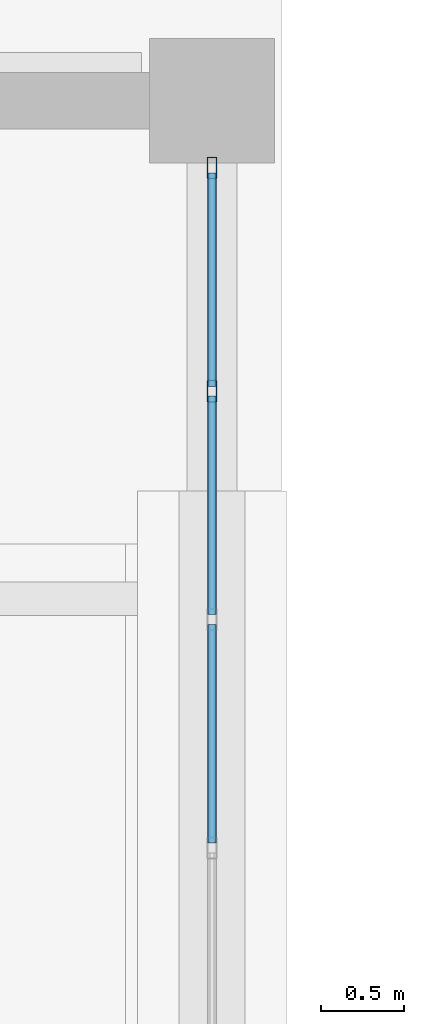
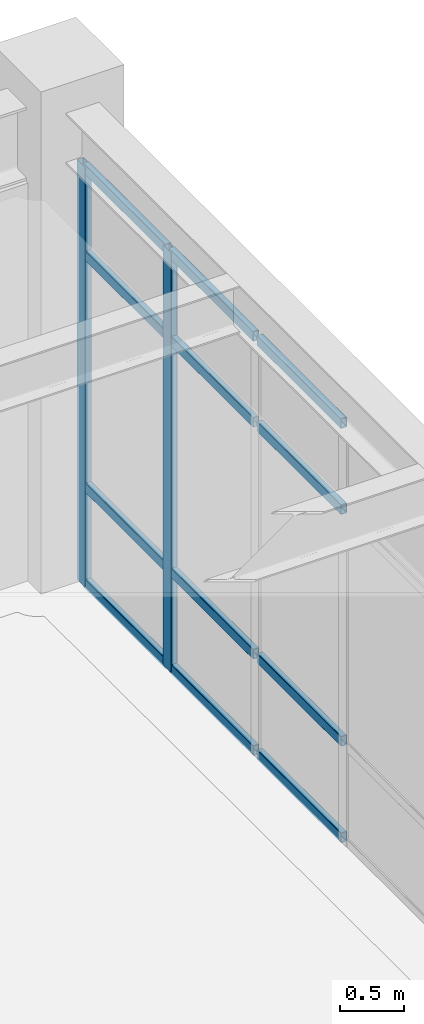
# One storey, part 52 of 98: 14 members, 1 element without a shape of its own.
"""IFC4 building model written with IfcOpenShell, lengths in metres."""

from ifc_helpers import new_model, si_unit, direction, frame, origin, origin_2d, place, context, subcontext, project, spatial, hollow_rectangle, extrude, material, material_profile, profile_set, type_object, element, aggregate, save


model = new_model("IFC4")

# Units and contexts
model_context = context("Model", 3, precision=1e-05, world=origin(), true_north=direction((0.0, 1.0)))
body_context = subcontext(model_context, "Body", "Model", "MODEL_VIEW")
ifc_project = project(units=[si_unit("LENGTHUNIT", "METRE"), si_unit("AREAUNIT", "SQUARE_METRE"), si_unit("VOLUMEUNIT", "CUBIC_METRE"), si_unit("PLANEANGLEUNIT", "RADIAN"), si_unit("MASSUNIT", "GRAM", prefix="KILO")], contexts=[model_context])

# Site, building, storey
site_placement = place(None, origin())
site = spatial("IfcSite", under=ifc_project, at=site_placement, CompositionType="ELEMENT")
building_placement = place(site_placement, origin())
building = spatial("IfcBuilding", under=site, at=building_placement, Name="Canglan Escarpment Cableway Terminal", CompositionType="ELEMENT")
storey_placement = place(building_placement, frame((0.0, 0.0, 9.60009765625)))
storey = spatial("IfcBuildingStorey", under=building, at=storey_placement, Name="L02", CompositionType="ELEMENT", Elevation=9.60009765625)

# Curtain wall, members
ifc_material_1 = material(Name="Anodized bronze aluminium and Low-E double glazing", Category="aluminium")
curtain_wall_type = type_object("IfcCurtainWallType", Name="CW-BAY-8250x4025", PredefinedType="NOTDEFINED", material=ifc_material_1)
curtain_wall_placement = place(storey_placement, origin())
curtain_wall = element("IfcCurtainWall", 1, at=curtain_wall_placement, inside=storey, type_object=curtain_wall_type, Name="Classical bay-between-piers glazed curtain wall CW-43", PredefinedType="NOTDEFINED")
ifc_material_2 = material(Name="Thermally broken anodized aluminium 6063-T6", Category="aluminium")
ifc_material_profile_1 = material_profile(ifc_material_2, hollow_rectangle(XDim=0.06005859375, YDim=0.1298828125, WallThickness=0.0029296875, InnerFilletRadius=0.0029296875, OuterFilletRadius=0.006103515625, at=origin_2d()), Name="ALU-MULL 60x130x3")
ifc_profile_set_1 = profile_set([ifc_material_profile_1], Name="Thermally broken anodized aluminium 6063-T6")
member_type_1 = type_object("IfcMemberType", Name="CWM-01", PredefinedType="MULLION", material=ifc_profile_set_1)
member_1_placement = place(storey_placement, frame((136.699951171875, 77.25, 0.0), z_axis=(0.0, 0.0, 1.0), x_axis=(-1.0, 0.0, 0.0)))
member_1 = element("IfcMember", 2, at=member_1_placement, type_object=member_type_1, Name="CW-43 mullion 6", PredefinedType="MULLION", context=body_context, shape_type="SweptSolid", body=[
    extrude(hollow_rectangle(XDim=0.06005859375, YDim=0.1298828125, WallThickness=0.0029296875, InnerFilletRadius=0.0029296875, OuterFilletRadius=0.006103515625, at=origin_2d()), origin(), (0.0, 0.0, 1.0), 4.016845703125),
])
member_2_placement = place(storey_placement, frame((136.699951171875, 78.594970703125, 0.0), z_axis=(0.0, 0.0, 1.0), x_axis=(-1.0, 0.0, 0.0)))
member_2 = element("IfcMember", 3, at=member_2_placement, type_object=member_type_1, Name="CW-43 mullion 7", PredefinedType="MULLION", context=body_context, shape_type="SweptSolid", body=[
    extrude(hollow_rectangle(XDim=0.06005859375, YDim=0.1298828125, WallThickness=0.0029296875, InnerFilletRadius=0.0029296875, OuterFilletRadius=0.006103515625, at=origin_2d()), origin(), (0.0, 0.0, 1.0), 4.016845703125),
])
ifc_material_profile_2 = material_profile(ifc_material_2, hollow_rectangle(XDim=0.054931640625, YDim=0.094970703125, WallThickness=0.0029296875, InnerFilletRadius=0.0029296875, OuterFilletRadius=0.006103515625, at=origin_2d()), Name="ALU-TRAN 55x95x3")
ifc_profile_set_2 = profile_set([ifc_material_profile_2], Name="Thermally broken anodized aluminium 6063-T6")
member_type_2 = type_object("IfcMemberType", Name="CWT-01", PredefinedType="USERDEFINED", material=ifc_profile_set_2)
member_3_placement = place(storey_placement, frame((136.699951171875, 74.530029296875, 0.02734375), z_axis=(0.0, 1.0, 0.0), x_axis=(-1.0, 0.0, 0.0)))
member_3 = element("IfcMember", 4, at=member_3_placement, type_object=member_type_2, Name="CW-43 transom 4.1", ObjectType="TRANSOM", PredefinedType="USERDEFINED", context=body_context, shape_type="SweptSolid", body=[
    extrude(hollow_rectangle(XDim=0.054931640625, YDim=0.094970703125, WallThickness=0.0029296875, InnerFilletRadius=0.0029296875, OuterFilletRadius=0.006103515625, at=origin_2d()), origin(), (0.0, 0.0, 1.0), 1.31494140625),
])
member_4_placement = place(storey_placement, frame((136.699951171875, 74.530029296875, 0.949951171875), z_axis=(0.0, 1.0, 0.0), x_axis=(-1.0, 0.0, 0.0)))
member_4 = element("IfcMember", 5, at=member_4_placement, type_object=member_type_2, Name="CW-43 transom 4.2", ObjectType="TRANSOM", PredefinedType="USERDEFINED", context=body_context, shape_type="SweptSolid", body=[
    extrude(hollow_rectangle(XDim=0.054931640625, YDim=0.094970703125, WallThickness=0.0029296875, InnerFilletRadius=0.0029296875, OuterFilletRadius=0.006103515625, at=origin_2d()), origin(), (0.0, 0.0, 1.0), 1.31494140625),
])
member_5_placement = place(storey_placement, frame((136.699951171875, 74.530029296875, 3.1669921875), z_axis=(0.0, 1.0, 0.0), x_axis=(-1.0, 0.0, 0.0)))
member_5 = element("IfcMember", 6, at=member_5_placement, type_object=member_type_2, Name="CW-43 transom 4.3", ObjectType="TRANSOM", PredefinedType="USERDEFINED", context=body_context, shape_type="SweptSolid", body=[
    extrude(hollow_rectangle(XDim=0.054931640625, YDim=0.094970703125, WallThickness=0.0029296875, InnerFilletRadius=0.0029296875, OuterFilletRadius=0.006103515625, at=origin_2d()), origin(), (0.0, 0.0, 1.0), 1.31494140625),
])
member_6_placement = place(storey_placement, frame((136.699951171875, 74.530029296875, 3.989501953125), z_axis=(0.0, 1.0, 0.0), x_axis=(-1.0, 0.0, 0.0)))
member_6 = element("IfcMember", 7, at=member_6_placement, type_object=member_type_2, Name="CW-43 transom 4.4", ObjectType="TRANSOM", PredefinedType="USERDEFINED", context=body_context, shape_type="SweptSolid", body=[
    extrude(hollow_rectangle(XDim=0.054931640625, YDim=0.094970703125, WallThickness=0.0029296875, InnerFilletRadius=0.0029296875, OuterFilletRadius=0.006103515625, at=origin_2d()), origin(), (0.0, 0.0, 1.0), 1.31494140625),
])
member_7_placement = place(storey_placement, frame((136.699951171875, 75.905029296875, 0.02734375), z_axis=(0.0, 1.0, 0.0), x_axis=(-1.0, 0.0, 0.0)))
member_7 = element("IfcMember", 8, at=member_7_placement, type_object=member_type_2, Name="CW-43 transom 5.1", ObjectType="TRANSOM", PredefinedType="USERDEFINED", context=body_context, shape_type="SweptSolid", body=[
    extrude(hollow_rectangle(XDim=0.054931640625, YDim=0.094970703125, WallThickness=0.0029296875, InnerFilletRadius=0.0029296875, OuterFilletRadius=0.006103515625, at=origin_2d()), origin(), (0.0, 0.0, 1.0), 1.31494140625),
])
member_8_placement = place(storey_placement, frame((136.699951171875, 75.905029296875, 0.949951171875), z_axis=(0.0, 1.0, 0.0), x_axis=(-1.0, 0.0, 0.0)))
member_8 = element("IfcMember", 9, at=member_8_placement, type_object=member_type_2, Name="CW-43 transom 5.2", ObjectType="TRANSOM", PredefinedType="USERDEFINED", context=body_context, shape_type="SweptSolid", body=[
    extrude(hollow_rectangle(XDim=0.054931640625, YDim=0.094970703125, WallThickness=0.0029296875, InnerFilletRadius=0.0029296875, OuterFilletRadius=0.006103515625, at=origin_2d()), origin(), (0.0, 0.0, 1.0), 1.31494140625),
])
member_9_placement = place(storey_placement, frame((136.699951171875, 75.905029296875, 3.1669921875), z_axis=(0.0, 1.0, 0.0), x_axis=(-1.0, 0.0, 0.0)))
member_9 = element("IfcMember", 10, at=member_9_placement, type_object=member_type_2, Name="CW-43 transom 5.3", ObjectType="TRANSOM", PredefinedType="USERDEFINED", context=body_context, shape_type="SweptSolid", body=[
    extrude(hollow_rectangle(XDim=0.054931640625, YDim=0.094970703125, WallThickness=0.0029296875, InnerFilletRadius=0.0029296875, OuterFilletRadius=0.006103515625, at=origin_2d()), origin(), (0.0, 0.0, 1.0), 1.31494140625),
])
member_10_placement = place(storey_placement, frame((136.699951171875, 75.905029296875, 3.989501953125), z_axis=(0.0, 1.0, 0.0), x_axis=(-1.0, 0.0, 0.0)))
member_10 = element("IfcMember", 11, at=member_10_placement, type_object=member_type_2, Name="CW-43 transom 5.4", ObjectType="TRANSOM", PredefinedType="USERDEFINED", context=body_context, shape_type="SweptSolid", body=[
    extrude(hollow_rectangle(XDim=0.054931640625, YDim=0.094970703125, WallThickness=0.0029296875, InnerFilletRadius=0.0029296875, OuterFilletRadius=0.006103515625, at=origin_2d()), origin(), (0.0, 0.0, 1.0), 1.31494140625),
])
member_11_placement = place(storey_placement, frame((136.699951171875, 77.280029296875, 0.02734375), z_axis=(0.0, 1.0, 0.0), x_axis=(-1.0, 0.0, 0.0)))
member_11 = element("IfcMember", 12, at=member_11_placement, type_object=member_type_2, Name="CW-43 transom 6.1", ObjectType="TRANSOM", PredefinedType="USERDEFINED", context=body_context, shape_type="SweptSolid", body=[
    extrude(hollow_rectangle(XDim=0.054931640625, YDim=0.094970703125, WallThickness=0.0029296875, InnerFilletRadius=0.0029296875, OuterFilletRadius=0.006103515625, at=origin_2d()), origin(), (0.0, 0.0, 1.0), 1.284912109375),
])
member_12_placement = place(storey_placement, frame((136.699951171875, 77.280029296875, 0.949951171875), z_axis=(0.0, 1.0, 0.0), x_axis=(-1.0, 0.0, 0.0)))
member_12 = element("IfcMember", 13, at=member_12_placement, type_object=member_type_2, Name="CW-43 transom 6.2", ObjectType="TRANSOM", PredefinedType="USERDEFINED", context=body_context, shape_type="SweptSolid", body=[
    extrude(hollow_rectangle(XDim=0.054931640625, YDim=0.094970703125, WallThickness=0.0029296875, InnerFilletRadius=0.0029296875, OuterFilletRadius=0.006103515625, at=origin_2d()), origin(), (0.0, 0.0, 1.0), 1.284912109375),
])
member_13_placement = place(storey_placement, frame((136.699951171875, 77.280029296875, 3.1669921875), z_axis=(0.0, 1.0, 0.0), x_axis=(-1.0, 0.0, 0.0)))
member_13 = element("IfcMember", 14, at=member_13_placement, type_object=member_type_2, Name="CW-43 transom 6.3", ObjectType="TRANSOM", PredefinedType="USERDEFINED", context=body_context, shape_type="SweptSolid", body=[
    extrude(hollow_rectangle(XDim=0.054931640625, YDim=0.094970703125, WallThickness=0.0029296875, InnerFilletRadius=0.0029296875, OuterFilletRadius=0.006103515625, at=origin_2d()), origin(), (0.0, 0.0, 1.0), 1.284912109375),
])
member_14_placement = place(storey_placement, frame((136.699951171875, 77.280029296875, 3.989501953125), z_axis=(0.0, 1.0, 0.0), x_axis=(-1.0, 0.0, 0.0)))
member_14 = element("IfcMember", 15, at=member_14_placement, type_object=member_type_2, Name="CW-43 transom 6.4", ObjectType="TRANSOM", PredefinedType="USERDEFINED", context=body_context, shape_type="SweptSolid", body=[
    extrude(hollow_rectangle(XDim=0.054931640625, YDim=0.094970703125, WallThickness=0.0029296875, InnerFilletRadius=0.0029296875, OuterFilletRadius=0.006103515625, at=origin_2d()), origin(), (0.0, 0.0, 1.0), 1.284912109375),
])
aggregate(curtain_wall, [member_1, member_2, member_3, member_4, member_5, member_6, member_7, member_8, member_9, member_10, member_11, member_12, member_13, member_14])

save(model, "model.ifc")
